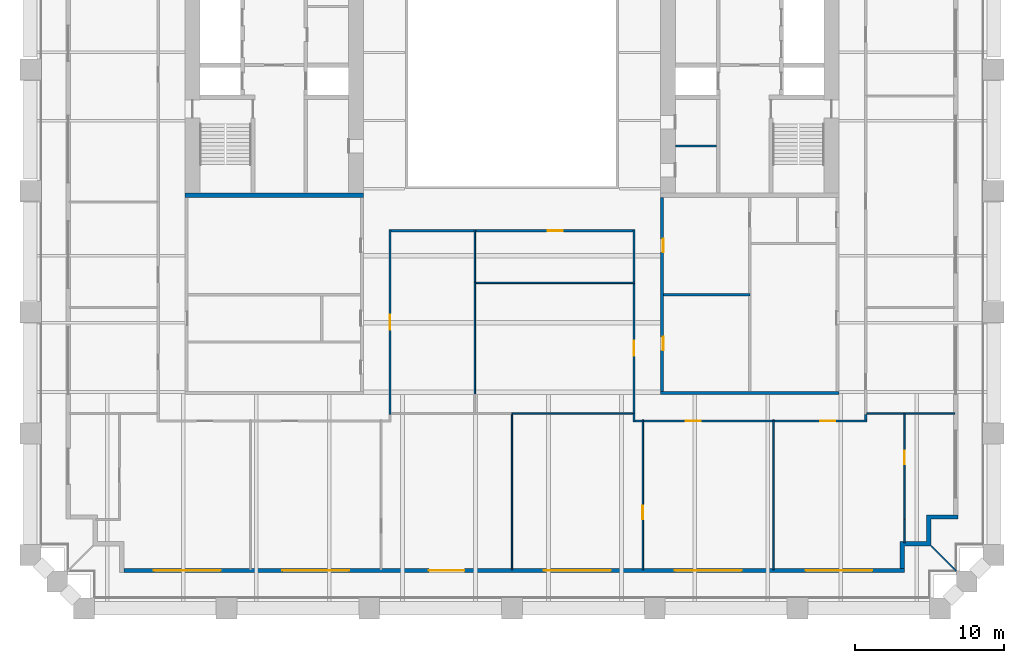
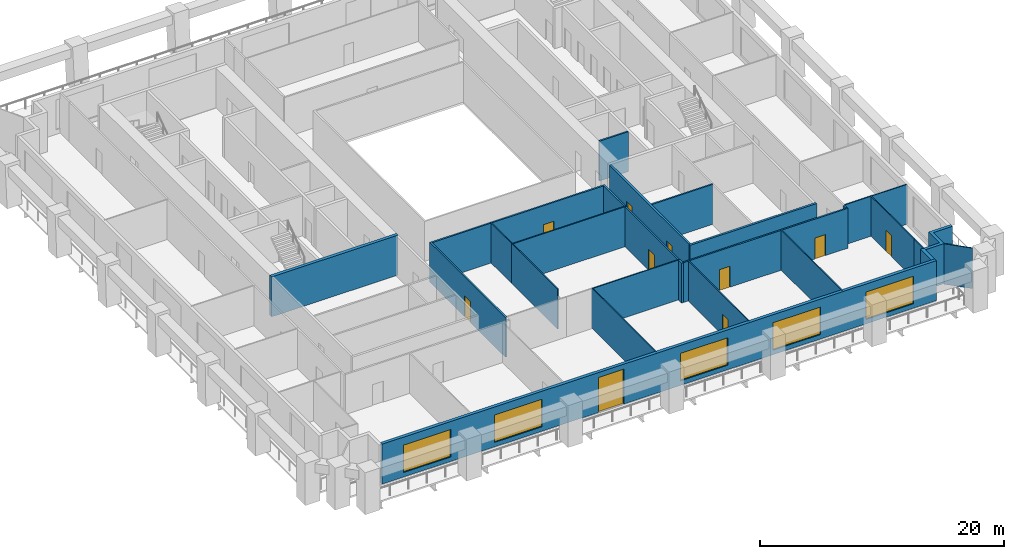
# One storey, part 4 of 9: 29 walls, 10 doors, 5 windows, 15 openings.
"""IFC4 building model written with IfcOpenShell, lengths in metres."""

from ifc_helpers import new_model, si_unit, direction, frame, frame_2d, origin, place, context, subcontext, project, spatial, polyline, rectangle, outline, extrude, material, layer, layer_set, type_object, element, fill, save


model = new_model("IFC4")

# Units and contexts
model_context = context("Model", 3, precision=1e-05, world=origin(), true_north=direction((0.0, 1.0)))
body_context = subcontext(model_context, "Body", "Model", "MODEL_VIEW")
ifc_project = project(units=[si_unit("LENGTHUNIT", "METRE"), si_unit("AREAUNIT", "SQUARE_METRE"), si_unit("VOLUMEUNIT", "CUBIC_METRE"), si_unit("PLANEANGLEUNIT", "RADIAN"), si_unit("MASSUNIT", "GRAM", prefix="KILO")], contexts=[model_context])

# Site, building, storey
site_placement = place(None, origin())
site = spatial("IfcSite", under=ifc_project, at=site_placement, CompositionType="ELEMENT")
building_placement = place(site_placement, origin())
building = spatial("IfcBuilding", under=site, at=building_placement, Name="Ogive Exchange Tower", CompositionType="ELEMENT")
storey_placement = place(building_placement, frame((0.0, 0.0, 60.60009765625)))
storey = spatial("IfcBuildingStorey", under=building, at=storey_placement, Name="L12", CompositionType="ELEMENT", Elevation=60.60009765625)

# Walls
ifc_material_1 = material(Name="Gypsum board partition")
ifc_layer_1 = layer(ifc_material_1, 0.14990234375)
ifc_layer_set_1 = layer_set([ifc_layer_1], Name="Core room partition 150 gypsum")
wall_type_1 = type_object("IfcWallType", Name="Core room partition 150 gypsum", PredefinedType="PARTITIONING", material=ifc_layer_set_1)
wall_1_placement = place(storey_placement, frame((11.0, 0.699951171875, 0.0), z_axis=(0.0, 0.0, 1.0), x_axis=(1.0, 0.0, 0.0)))
element("IfcWall", 1, at=wall_1_placement, inside=storey, type_object=wall_type_1, Name="E south room partition", PredefinedType="PARTITIONING", context=body_context, shape_type="SweptSolid", body=[
    extrude(rectangle(XDim=2.75, YDim=0.14990234375, at=frame_2d((1.375, 0.0))), origin(), (0.0, 0.0, 1.0), 4.0),
])
wall_2_placement = place(storey_placement, frame((10.199951171875, -9.300048828125, 0.0), z_axis=(0.0, 0.0, 1.0), x_axis=(1.0, 0.0, 0.0)))
element("IfcWall", 2, at=wall_2_placement, inside=storey, type_object=wall_type_1, Name="E annex S cross wall", PredefinedType="PARTITIONING", context=body_context, shape_type="SweptSolid", body=[
    extrude(rectangle(XDim=5.800048828125, YDim=0.14990234375, at=frame_2d((2.89990234375, 0.0))), origin(), (0.0, 0.0, 1.0), 4.0),
])

# Wall, opening, door
ifc_material_2 = material(Name="Fire partition EI 60 150")
ifc_layer_2 = layer(ifc_material_2, 0.14990234375)
ifc_layer_set_2 = layer_set([ifc_layer_2], Name="Fire partition EI 60 150")
wall_type_2 = type_object("IfcWallType", Name="Fire partition EI 60 150", PredefinedType="PARTITIONING", material=ifc_layer_set_2)
wall_3_placement = place(storey_placement, frame((-8.199951171875, -4.925048828125, 0.0), z_axis=(0.0, 0.0, 1.0), x_axis=(0.0, -1.0, 0.0)))
wall_3 = element("IfcWall", 3, at=wall_3_placement, inside=storey, type_object=wall_type_2, Name="L12-PWL-021", PredefinedType="PARTITIONING", context=body_context, shape_type="SweptSolid", body=[
    extrude(rectangle(XDim=12.4150390625, YDim=0.14990234375, at=frame_2d((6.20751953125, 0.0))), origin(), (0.0, 0.0, 1.0), 4.0),
])
opening_1_placement = place(wall_3_placement, frame((5.715087890625, 0.0, 0.0)))
opening_1 = element("IfcOpeningElement", 4, at=opening_1_placement, cuts=wall_3, Name="Opening L12-I10", PredefinedType="OPENING", context=body_context, shape_type="SweptSolid", body=[
    extrude(rectangle(XDim=1.0, YDim=2.10009765625, at=frame_2d((0.5, 1.050048828125))), frame((0.0, 0.0849609375, 0.0), z_axis=(0.0, -1.0, 0.0), x_axis=(1.0, 0.0, 0.0)), (0.0, 0.0, 1.0), 0.169921875),
])
ifc_material_3 = material(Name="Fire door FD 30S 1000 x 2100")
door_type_1 = type_object("IfcDoorType", Name="Fire door FD 30S 1000 x 2100", OperationType="NOTDEFINED", PredefinedType="DOOR", material=ifc_material_3)
door_1_placement = place(opening_1_placement, origin())
door_1 = element("IfcDoor", 5, at=door_1_placement, inside=storey, type_object=door_type_1, Name="L12-IDR-010", ObjectType="DT3", OperationType="SINGLE_SWING_LEFT", OverallHeight=2.10009765625, OverallWidth=1.0, PredefinedType="DOOR", context=body_context, shape_type="SweptSolid", body=[
    extrude(rectangle(XDim=1.0, YDim=2.10009765625, at=frame_2d((0.5, 1.050048828125))), frame((0.0, 0.02490234375, 0.0), z_axis=(0.0, -1.0, 0.0), x_axis=(1.0, 0.0, 0.0)), (0.0, 0.0, 1.0), 0.050048828125),
])
fill(opening_1, door_1)

# Walls
wall_4_placement = place(storey_placement, frame((-2.550048828125, -5.0, 0.0), z_axis=(0.0, 0.0, 1.0), x_axis=(-1.0, 0.0, 0.0)))
element("IfcWall", 6, at=wall_4_placement, inside=storey, type_object=wall_type_2, Name="L12-PWL-030", PredefinedType="PARTITIONING", context=body_context, shape_type="SweptSolid", body=[
    extrude(rectangle(XDim=5.574951171875, YDim=0.14990234375, at=frame_2d((2.78759765625, 0.0))), origin(), (0.0, 0.0, 1.0), 4.0),
])
wall_5_placement = place(storey_placement, frame((8.199951171875, -17.875, 0.0), z_axis=(0.0, 0.0, 1.0), x_axis=(0.0, 1.0, 0.0)))
element("IfcWall", 7, at=wall_5_placement, inside=storey, type_object=wall_type_2, Name="L12-PWL-033", PredefinedType="PARTITIONING", context=body_context, shape_type="SweptSolid", body=[
    extrude(rectangle(XDim=0.5849609375, YDim=0.14990234375, at=frame_2d((0.29248046875, 0.0))), origin(), (0.0, 0.0, 1.0), 4.0),
])

# Wall, opening, door
wall_6_placement = place(storey_placement, frame((8.199951171875, -17.2900390625, 0.0), z_axis=(0.0, 0.0, 1.0), x_axis=(0.0, 1.0, 0.0)))
wall_6 = element("IfcWall", 8, at=wall_6_placement, inside=storey, type_object=wall_type_2, Name="L12-PWL-035", PredefinedType="PARTITIONING", context=body_context, shape_type="SweptSolid", body=[
    extrude(rectangle(XDim=8.739990234375, YDim=0.14990234375, at=frame_2d((4.3701171875, 0.0))), origin(), (0.0, 0.0, 1.0), 4.0),
])
opening_2_placement = place(wall_6_placement, frame((3.889892578125, 0.0, 0.0)))
opening_2 = element("IfcOpeningElement", 9, at=opening_2_placement, cuts=wall_6, Name="Opening L12-I08", PredefinedType="OPENING", context=body_context, shape_type="SweptSolid", body=[
    extrude(rectangle(XDim=1.0, YDim=2.10009765625, at=frame_2d((0.5, 1.050048828125))), frame((0.0, 0.0849609375, 0.0), z_axis=(0.0, -1.0, 0.0), x_axis=(1.0, 0.0, 0.0)), (0.0, 0.0, 1.0), 0.169921875),
])
door_2_placement = place(opening_2_placement, origin())
door_2 = element("IfcDoor", 10, at=door_2_placement, inside=storey, type_object=door_type_1, Name="L12-IDR-008", ObjectType="DT3", OperationType="SINGLE_SWING_RIGHT", OverallHeight=2.10009765625, OverallWidth=1.0, PredefinedType="DOOR", context=body_context, shape_type="SweptSolid", body=[
    extrude(rectangle(XDim=1.0, YDim=2.10009765625, at=frame_2d((0.5, 1.050048828125))), frame((0.0, 0.02490234375, 0.0), z_axis=(0.0, -1.0, 0.0), x_axis=(1.0, 0.0, 0.0)), (0.0, 0.0, 1.0), 0.050048828125),
])
fill(opening_2, door_2)

# Wall
wall_7_placement = place(storey_placement, frame((8.199951171875, -8.449951171875, 0.0), z_axis=(0.0, 0.0, 1.0), x_axis=(0.0, 1.0, 0.0)))
element("IfcWall", 11, at=wall_7_placement, inside=storey, type_object=wall_type_2, Name="L12-PWL-036", PredefinedType="PARTITIONING", context=body_context, shape_type="SweptSolid", body=[
    extrude(rectangle(XDim=3.52490234375, YDim=0.14990234375, at=frame_2d((1.762451171875, 0.0))), origin(), (0.0, 0.0, 1.0), 4.0),
])

# Wall, opening, door
wall_8_placement = place(storey_placement, frame((8.125, -5.0, 0.0), z_axis=(0.0, 0.0, 1.0), x_axis=(-1.0, 0.0, 0.0)))
wall_8 = element("IfcWall", 12, at=wall_8_placement, inside=storey, type_object=wall_type_2, Name="L12-PWL-037", PredefinedType="PARTITIONING", context=body_context, shape_type="SweptSolid", body=[
    extrude(rectangle(XDim=10.574951171875, YDim=0.14990234375, at=frame_2d((5.28759765625, 0.0))), origin(), (0.0, 0.0, 1.0), 4.0),
])
opening_3_placement = place(wall_8_placement, frame((4.72509765625, 0.0, 0.0)))
opening_3 = element("IfcOpeningElement", 13, at=opening_3_placement, cuts=wall_8, Name="Opening L12-I09", PredefinedType="OPENING", context=body_context, shape_type="SweptSolid", body=[
    extrude(rectangle(XDim=1.0, YDim=2.10009765625, at=frame_2d((0.5, 1.050048828125))), frame((0.0, 0.0849609375, 0.0), z_axis=(0.0, -1.0, 0.0), x_axis=(1.0, 0.0, 0.0)), (0.0, 0.0, 1.0), 0.169921875),
])
door_3_placement = place(opening_3_placement, origin())
door_3 = element("IfcDoor", 14, at=door_3_placement, inside=storey, type_object=door_type_1, Name="L12-IDR-009", ObjectType="DT3", OperationType="SINGLE_SWING_RIGHT", OverallHeight=2.10009765625, OverallWidth=1.0, PredefinedType="DOOR", context=body_context, shape_type="SweptSolid", body=[
    extrude(rectangle(XDim=1.0, YDim=2.10009765625, at=frame_2d((0.5, 1.050048828125))), frame((0.0, 0.02490234375, 0.0), z_axis=(0.0, -1.0, 0.0), x_axis=(1.0, 0.0, 0.0)), (0.0, 0.0, 1.0), 0.050048828125),
])
fill(opening_3, door_3)

# Wall
wall_9_placement = place(storey_placement, frame((8.75, -17.800048828125, 0.0), z_axis=(0.0, 0.0, 1.0), x_axis=(-1.0, 0.0, 0.0)))
element("IfcWall", 15, at=wall_9_placement, inside=storey, type_object=wall_type_2, Name="L12-PWL-042", PredefinedType="PARTITIONING", context=body_context, shape_type="SweptSolid", body=[
    extrude(rectangle(XDim=0.47509765625, YDim=0.14990234375, at=frame_2d((0.237548828125, 0.0))), origin(), (0.0, 0.0, 1.0), 4.0),
])

# Wall, opening, door
wall_10_placement = place(storey_placement, frame((17.550048828125, -17.800048828125, 0.0), z_axis=(0.0, 0.0, 1.0), x_axis=(-1.0, 0.0, 0.0)))
wall_10 = element("IfcWall", 16, at=wall_10_placement, inside=storey, type_object=wall_type_2, Name="L12-PWL-044", PredefinedType="PARTITIONING", context=body_context, shape_type="SweptSolid", body=[
    extrude(rectangle(XDim=8.699951171875, YDim=0.14990234375, at=frame_2d((4.35009765625, 0.0))), origin(), (0.0, 0.0, 1.0), 4.0),
])
opening_4_placement = place(wall_10_placement, frame((4.85009765625, 0.0, 0.0)))
opening_4 = element("IfcOpeningElement", 17, at=opening_4_placement, cuts=wall_10, Name="Opening L12-I16", PredefinedType="OPENING", context=body_context, shape_type="SweptSolid", body=[
    extrude(rectangle(XDim=1.0, YDim=2.10009765625, at=frame_2d((0.5, 1.050048828125))), frame((0.0, 0.0849609375, 0.0), z_axis=(0.0, -1.0, 0.0), x_axis=(1.0, 0.0, 0.0)), (0.0, 0.0, 1.0), 0.169921875),
])
door_4_placement = place(opening_4_placement, origin())
door_4 = element("IfcDoor", 18, at=door_4_placement, inside=storey, type_object=door_type_1, Name="L12-IDR-016", ObjectType="DT3", OperationType="SINGLE_SWING_LEFT", OverallHeight=2.10009765625, OverallWidth=1.0, PredefinedType="DOOR", context=body_context, shape_type="SweptSolid", body=[
    extrude(rectangle(XDim=1.0, YDim=2.10009765625, at=frame_2d((0.5, 1.050048828125))), frame((0.0, 0.02490234375, 0.0), z_axis=(0.0, -1.0, 0.0), x_axis=(1.0, 0.0, 0.0)), (0.0, 0.0, 1.0), 0.050048828125),
])
fill(opening_4, door_4)

wall_11_placement = place(storey_placement, frame((23.875, -17.800048828125, 0.0), z_axis=(0.0, 0.0, 1.0), x_axis=(-1.0, 0.0, 0.0)))
wall_11 = element("IfcWall", 19, at=wall_11_placement, inside=storey, type_object=wall_type_2, Name="L12-PWL-046", PredefinedType="PARTITIONING", context=body_context, shape_type="SweptSolid", body=[
    extrude(rectangle(XDim=6.22509765625, YDim=0.14990234375, at=frame_2d((3.112548828125, 0.0))), origin(), (0.0, 0.0, 1.0), 4.0),
])
opening_5_placement = place(wall_11_placement, frame((2.125, 0.0, 0.0)))
opening_5 = element("IfcOpeningElement", 20, at=opening_5_placement, cuts=wall_11, Name="Opening L12-I15", PredefinedType="OPENING", context=body_context, shape_type="SweptSolid", body=[
    extrude(rectangle(XDim=1.0, YDim=2.10009765625, at=frame_2d((0.5, 1.050048828125))), frame((0.0, 0.0849609375, 0.0), z_axis=(0.0, -1.0, 0.0), x_axis=(1.0, 0.0, 0.0)), (0.0, 0.0, 1.0), 0.169921875),
])
door_5_placement = place(opening_5_placement, origin())
door_5 = element("IfcDoor", 21, at=door_5_placement, inside=storey, type_object=door_type_1, Name="L12-IDR-015", ObjectType="DT3", OperationType="SINGLE_SWING_LEFT", OverallHeight=2.10009765625, OverallWidth=1.0, PredefinedType="DOOR", context=body_context, shape_type="SweptSolid", body=[
    extrude(rectangle(XDim=1.0, YDim=2.10009765625, at=frame_2d((0.5, 1.050048828125))), frame((0.0, 0.02490234375, 0.0), z_axis=(0.0, -1.0, 0.0), x_axis=(1.0, 0.0, 0.0)), (0.0, 0.0, 1.0), 0.050048828125),
])
fill(opening_5, door_5)

# Wall
wall_12_placement = place(storey_placement, frame((23.800048828125, -17.340087890625, 0.0), z_axis=(0.0, 0.0, 1.0), x_axis=(0.0, -1.0, 0.0)))
element("IfcWall", 22, at=wall_12_placement, inside=storey, type_object=wall_type_2, Name="L12-PWL-047", PredefinedType="PARTITIONING", context=body_context, shape_type="SweptSolid", body=[
    extrude(rectangle(XDim=0.385009765625, YDim=0.14990234375, at=frame_2d((0.1923828125, 0.0))), origin(), (0.0, 0.0, 1.0), 4.0),
])

# Wall, openings, door, windows
ifc_material_4 = material(Name="Precast concrete C40/50", Category="concrete")
ifc_layer_3 = layer(ifc_material_4, 0.300048828125)
ifc_layer_set_3 = layer_set([ifc_layer_3], Name="Limestone-faced wall 300")
wall_type_3 = type_object("IfcWallType", Name="Limestone-faced wall 300", PredefinedType="STANDARD", material=ifc_layer_set_3)
wall_13_placement = place(storey_placement, frame((-26.10009765625, -27.85009765625, 0.0), z_axis=(0.0, 0.0, 1.0), x_axis=(1.0, 0.0, 0.0)))
wall_13 = element("IfcWall", 23, at=wall_13_placement, inside=storey, type_object=wall_type_3, Name="External wall S1", PredefinedType="STANDARD", context=body_context, shape_type="SweptSolid", body=[
    extrude(rectangle(XDim=52.5, YDim=0.300048828125, at=frame_2d((26.25, 0.0))), origin(), (0.0, 0.0, 1.0), 4.0),
])
opening_6_placement = place(wall_13_placement, frame((2.0, 0.0, 0.449951171875)))
opening_6 = element("IfcOpeningElement", 24, at=opening_6_placement, cuts=wall_13, Name="Opening W1H", PredefinedType="OPENING", context=body_context, shape_type="SweptSolid", body=[
    extrude(rectangle(XDim=4.5, YDim=2.75, at=frame_2d((2.25, 1.375))), frame((0.0, 0.159912109375, 0.0), z_axis=(0.0, -1.0, 0.0), x_axis=(1.0, 0.0, 0.0)), (0.0, 0.0, 1.0), 0.320068359375),
])
opening_7_placement = place(wall_13_placement, frame((10.64990234375, 0.0, 0.449951171875)))
opening_7 = element("IfcOpeningElement", 25, at=opening_7_placement, cuts=wall_13, Name="Opening W1H", PredefinedType="OPENING", context=body_context, shape_type="SweptSolid", body=[
    extrude(rectangle(XDim=4.5, YDim=2.75, at=frame_2d((2.25, 1.375))), frame((0.0, 0.159912109375, 0.0), z_axis=(0.0, -1.0, 0.0), x_axis=(1.0, 0.0, 0.0)), (0.0, 0.0, 1.0), 0.320068359375),
])
opening_8_placement = place(wall_13_placement, frame((20.5, 0.0, 0.0)))
opening_8 = element("IfcOpeningElement", 26, at=opening_8_placement, cuts=wall_13, Name="Opening D1", PredefinedType="OPENING", context=body_context, shape_type="SweptSolid", body=[
    extrude(rectangle(XDim=2.39990234375, YDim=3.5, at=frame_2d((1.199951171875, 1.75))), frame((0.0, 0.159912109375, 0.0), z_axis=(0.0, -1.0, 0.0), x_axis=(1.0, 0.0, 0.0)), (0.0, 0.0, 1.0), 0.320068359375),
])
opening_9_placement = place(wall_13_placement, frame((28.25, 0.0, 0.449951171875)))
opening_9 = element("IfcOpeningElement", 27, at=opening_9_placement, cuts=wall_13, Name="Opening W1H", PredefinedType="OPENING", context=body_context, shape_type="SweptSolid", body=[
    extrude(rectangle(XDim=4.5, YDim=2.75, at=frame_2d((2.25, 1.375))), frame((0.0, 0.159912109375, 0.0), z_axis=(0.0, -1.0, 0.0), x_axis=(1.0, 0.0, 0.0)), (0.0, 0.0, 1.0), 0.320068359375),
])
opening_10_placement = place(wall_13_placement, frame((37.050048828125, 0.0, 0.449951171875)))
opening_10 = element("IfcOpeningElement", 28, at=opening_10_placement, cuts=wall_13, Name="Opening W1H", PredefinedType="OPENING", context=body_context, shape_type="SweptSolid", body=[
    extrude(rectangle(XDim=4.5, YDim=2.75, at=frame_2d((2.25, 1.375))), frame((0.0, 0.159912109375, 0.0), z_axis=(0.0, -1.0, 0.0), x_axis=(1.0, 0.0, 0.0)), (0.0, 0.0, 1.0), 0.320068359375),
])
opening_11_placement = place(wall_13_placement, frame((45.85009765625, 0.0, 0.449951171875)))
opening_11 = element("IfcOpeningElement", 29, at=opening_11_placement, cuts=wall_13, Name="Opening W1H", PredefinedType="OPENING", context=body_context, shape_type="SweptSolid", body=[
    extrude(rectangle(XDim=4.5, YDim=2.75, at=frame_2d((2.25, 1.375))), frame((0.0, 0.159912109375, 0.0), z_axis=(0.0, -1.0, 0.0), x_axis=(1.0, 0.0, 0.0)), (0.0, 0.0, 1.0), 0.320068359375),
])
ifc_material_5 = material(Name="Clear glass in bronze frame", Category="glass")
door_type_2 = type_object("IfcDoorType", Name="Sliding loggia door 2400 x 3500", OperationType="DOUBLE_DOOR_SLIDING", PredefinedType="DOOR", material=ifc_material_5)
door_6_placement = place(opening_8_placement, origin())
door_6 = element("IfcDoor", 30, at=door_6_placement, inside=storey, type_object=door_type_2, Name="Loggia door S02", OperationType="DOUBLE_DOOR_SLIDING", OverallHeight=3.5, OverallWidth=2.39990234375, PredefinedType="DOOR", context=body_context, shape_type="SweptSolid", body=[
    extrude(rectangle(XDim=2.39990234375, YDim=3.5, at=frame_2d((1.199951171875, 1.75))), frame((0.0, 0.02490234375, 0.0), z_axis=(0.0, -1.0, 0.0), x_axis=(1.0, 0.0, 0.0)), (0.0, 0.0, 1.0), 0.050048828125),
])
fill(opening_8, door_6)
window_type = type_object("IfcWindowType", Name="Twin lancet window 4500 x 2750", PartitioningType="DOUBLE_PANEL_VERTICAL", PredefinedType="WINDOW", material=ifc_material_5)
window_1_placement = place(opening_6_placement, origin())
window_1 = element("IfcWindow", 31, at=window_1_placement, inside=storey, type_object=window_type, Name="Window S00", OverallHeight=2.75, OverallWidth=4.5, PartitioningType="DOUBLE_PANEL_VERTICAL", PredefinedType="WINDOW", context=body_context, shape_type="SweptSolid", body=[
    extrude(rectangle(XDim=4.5, YDim=2.75, at=frame_2d((2.25, 1.375))), frame((0.0, 0.030029296875, 0.0), z_axis=(0.0, -1.0, 0.0), x_axis=(1.0, 0.0, 0.0)), (0.0, 0.0, 1.0), 0.06005859375),
])
fill(opening_6, window_1)
window_2_placement = place(opening_7_placement, origin())
window_2 = element("IfcWindow", 32, at=window_2_placement, inside=storey, type_object=window_type, Name="Window S01", OverallHeight=2.75, OverallWidth=4.5, PartitioningType="DOUBLE_PANEL_VERTICAL", PredefinedType="WINDOW", context=body_context, shape_type="SweptSolid", body=[
    extrude(rectangle(XDim=4.5, YDim=2.75, at=frame_2d((2.25, 1.375))), frame((0.0, 0.030029296875, 0.0), z_axis=(0.0, -1.0, 0.0), x_axis=(1.0, 0.0, 0.0)), (0.0, 0.0, 1.0), 0.06005859375),
])
fill(opening_7, window_2)
window_3_placement = place(opening_9_placement, origin())
window_3 = element("IfcWindow", 33, at=window_3_placement, inside=storey, type_object=window_type, Name="Window S03", OverallHeight=2.75, OverallWidth=4.5, PartitioningType="DOUBLE_PANEL_VERTICAL", PredefinedType="WINDOW", context=body_context, shape_type="SweptSolid", body=[
    extrude(rectangle(XDim=4.5, YDim=2.75, at=frame_2d((2.25, 1.375))), frame((0.0, 0.030029296875, 0.0), z_axis=(0.0, -1.0, 0.0), x_axis=(1.0, 0.0, 0.0)), (0.0, 0.0, 1.0), 0.06005859375),
])
fill(opening_9, window_3)
window_4_placement = place(opening_10_placement, origin())
window_4 = element("IfcWindow", 34, at=window_4_placement, inside=storey, type_object=window_type, Name="Window S04", OverallHeight=2.75, OverallWidth=4.5, PartitioningType="DOUBLE_PANEL_VERTICAL", PredefinedType="WINDOW", context=body_context, shape_type="SweptSolid", body=[
    extrude(rectangle(XDim=4.5, YDim=2.75, at=frame_2d((2.25, 1.375))), frame((0.0, 0.030029296875, 0.0), z_axis=(0.0, -1.0, 0.0), x_axis=(1.0, 0.0, 0.0)), (0.0, 0.0, 1.0), 0.06005859375),
])
fill(opening_10, window_4)
window_5_placement = place(opening_11_placement, origin())
window_5 = element("IfcWindow", 35, at=window_5_placement, inside=storey, type_object=window_type, Name="Window S05", OverallHeight=2.75, OverallWidth=4.5, PartitioningType="DOUBLE_PANEL_VERTICAL", PredefinedType="WINDOW", context=body_context, shape_type="SweptSolid", body=[
    extrude(rectangle(XDim=4.5, YDim=2.75, at=frame_2d((2.25, 1.375))), frame((0.0, 0.030029296875, 0.0), z_axis=(0.0, -1.0, 0.0), x_axis=(1.0, 0.0, 0.0)), (0.0, 0.0, 1.0), 0.06005859375),
])
fill(opening_11, window_5)

# Walls
wall_14_placement = place(storey_placement, origin())
element("IfcWall", 36, at=wall_14_placement, inside=storey, type_object=wall_type_3, Name="External corner wall C1", PredefinedType="STANDARD", context=body_context, shape_type="SweptSolid", body=[
    extrude(outline(polyline([(27.89990234375, -25.89990234375), (27.89990234375, -24.10009765625), (30.0, -24.10009765625), (30.0, -24.39990234375), (28.199951171875, -24.39990234375), (28.199951171875, -26.199951171875), (26.39990234375, -26.199951171875), (26.39990234375, -27.699951171875), (26.10009765625, -27.699951171875), (26.10009765625, -25.89990234375), (27.89990234375, -25.89990234375)])), origin(), (0.0, 0.0, 1.0), 4.0),
])
ifc_material_6 = material(Name="Laminated safety glass in steel frame", Category="steel")
ifc_layer_4 = layer(ifc_material_6, 0.10009765625)
ifc_layer_set_4 = layer_set([ifc_layer_4], Name="Loggia end screen 100")
wall_type_4 = type_object("IfcWallType", Name="Loggia end screen 100", PredefinedType="STANDARD", material=ifc_layer_set_4)
wall_15_placement = place(storey_placement, frame((28.199951171875, -26.199951171875, -0.050048828125), z_axis=(0.0, 0.0, 1.0), x_axis=(0.707106781187, -0.707106781187, 0.0)))
element("IfcWall", 37, at=wall_15_placement, inside=storey, type_object=wall_type_4, Name="Loggia end screen C1", PredefinedType="STANDARD", context=body_context, shape_type="SweptSolid", body=[
    extrude(rectangle(XDim=2.384521484375, YDim=0.10009765625, at=frame_2d((1.1923828125, 0.0))), origin(), (0.0, 0.0, 1.0), 4.050048828125),
])
ifc_material_7 = material(Name="Partition 100 gypsum")
ifc_layer_5 = layer(ifc_material_7, 0.10009765625)
ifc_layer_set_5 = layer_set([ifc_layer_5], Name="Partition 100 gypsum")
wall_type_5 = type_object("IfcWallType", Name="Partition 100 gypsum", PredefinedType="PARTITIONING", material=ifc_layer_set_5)
wall_16_placement = place(storey_placement, frame((-2.5, -8.449951171875, 0.0), z_axis=(0.0, 0.0, 1.0), x_axis=(0.0, 1.0, 0.0)))
element("IfcWall", 38, at=wall_16_placement, inside=storey, type_object=wall_type_5, Name="L12-PWL-028", PredefinedType="PARTITIONING", context=body_context, shape_type="SweptSolid", body=[
    extrude(rectangle(XDim=3.52490234375, YDim=0.10009765625, at=frame_2d((1.762451171875, 0.0))), origin(), (0.0, 0.0, 1.0), 4.0),
])
wall_17_placement = place(storey_placement, frame((-2.449951171875, -8.5, 0.0), z_axis=(0.0, 0.0, 1.0), x_axis=(1.0, 0.0, 0.0)))
element("IfcWall", 39, at=wall_17_placement, inside=storey, type_object=wall_type_5, Name="L12-PWL-029", PredefinedType="PARTITIONING", context=body_context, shape_type="SweptSolid", body=[
    extrude(rectangle(XDim=10.724853515625, YDim=0.10009765625, at=frame_2d((5.3623046875, 0.0))), origin(), (0.0, 0.0, 1.0), 4.0),
])
wall_18_placement = place(storey_placement, frame((0.0, -27.800048828125, 0.0), z_axis=(0.0, 0.0, 1.0), x_axis=(0.0, 1.0, 0.0)))
element("IfcWall", 40, at=wall_18_placement, inside=storey, type_object=wall_type_5, Name="L12-PWL-031", PredefinedType="PARTITIONING", context=body_context, shape_type="SweptSolid", body=[
    extrude(rectangle(XDim=10.56005859375, YDim=0.10009765625, at=frame_2d((5.280029296875, 0.0))), origin(), (0.0, 0.0, 1.0), 4.0),
])
wall_19_placement = place(storey_placement, frame((8.125, -17.2900390625, 0.0), z_axis=(0.0, 0.0, 1.0), x_axis=(-1.0, 0.0, 0.0)))
element("IfcWall", 41, at=wall_19_placement, inside=storey, type_object=wall_type_5, Name="L12-PWL-034", PredefinedType="PARTITIONING", context=body_context, shape_type="SweptSolid", body=[
    extrude(rectangle(XDim=8.074951171875, YDim=0.10009765625, at=frame_2d((4.03759765625, 0.0))), origin(), (0.0, 0.0, 1.0), 4.0),
])

# Wall, opening, door
wall_20_placement = place(storey_placement, frame((8.800048828125, -27.800048828125, 0.0), z_axis=(0.0, 0.0, 1.0), x_axis=(0.0, 1.0, 0.0)))
wall_20 = element("IfcWall", 42, at=wall_20_placement, inside=storey, type_object=wall_type_5, Name="L12-PWL-041", PredefinedType="PARTITIONING", context=body_context, shape_type="SweptSolid", body=[
    extrude(rectangle(XDim=10.074951171875, YDim=0.10009765625, at=frame_2d((5.03759765625, 0.0))), origin(), (0.0, 0.0, 1.0), 4.0),
])
opening_12_placement = place(wall_20_placement, frame((3.39990234375, 0.0, 0.0)))
opening_12 = element("IfcOpeningElement", 43, at=opening_12_placement, cuts=wall_20, Name="Opening L12-I17", PredefinedType="OPENING", context=body_context, shape_type="SweptSolid", body=[
    extrude(rectangle(XDim=0.89990234375, YDim=2.10009765625, at=frame_2d((0.449951171875, 1.050048828125))), frame((0.0, 0.06005859375, 0.0), z_axis=(0.0, -1.0, 0.0), x_axis=(1.0, 0.0, 0.0)), (0.0, 0.0, 1.0), 0.1201171875),
])
ifc_material_8 = material(Name="Door 900 x 2100")
door_type_3 = type_object("IfcDoorType", Name="Door 900 x 2100", OperationType="NOTDEFINED", PredefinedType="DOOR", material=ifc_material_8)
door_7_placement = place(opening_12_placement, frame((0.89990234375, 0.0, 0.0), z_axis=(0.0, 0.0, 1.0), x_axis=(-1.0, 0.0, 0.0)))
door_7 = element("IfcDoor", 44, at=door_7_placement, inside=storey, type_object=door_type_3, Name="L12-IDR-017", ObjectType="DT1", OperationType="SINGLE_SWING_LEFT", OverallHeight=2.10009765625, OverallWidth=0.89990234375, PredefinedType="DOOR", context=body_context, shape_type="SweptSolid", body=[
    extrude(rectangle(XDim=0.89990234375, YDim=2.10009765625, at=frame_2d((0.449951171875, 1.050048828125))), frame((0.0, 0.02490234375, 0.0), z_axis=(0.0, -1.0, 0.0), x_axis=(1.0, 0.0, 0.0)), (0.0, 0.0, 1.0), 0.050048828125),
])
fill(opening_12, door_7)

# Wall
wall_21_placement = place(storey_placement, frame((17.60009765625, -27.800048828125, 0.0), z_axis=(0.0, 0.0, 1.0), x_axis=(0.0, 1.0, 0.0)))
element("IfcWall", 45, at=wall_21_placement, inside=storey, type_object=wall_type_5, Name="L12-PWL-043", PredefinedType="PARTITIONING", context=body_context, shape_type="SweptSolid", body=[
    extrude(rectangle(XDim=10.074951171875, YDim=0.10009765625, at=frame_2d((5.03759765625, 0.0))), origin(), (0.0, 0.0, 1.0), 4.0),
])

# Wall, opening, door
wall_22_placement = place(storey_placement, frame((26.39990234375, -24.409912109375, 0.0), z_axis=(0.0, 0.0, 1.0), x_axis=(0.0, 1.0, 0.0)))
wall_22 = element("IfcWall", 46, at=wall_22_placement, inside=storey, type_object=wall_type_5, Name="L12-PWL-052", PredefinedType="PARTITIONING", context=body_context, shape_type="SweptSolid", body=[
    extrude(rectangle(XDim=7.169921875, YDim=0.10009765625, at=frame_2d((3.5849609375, 0.0))), origin(), (0.0, 0.0, 1.0), 4.0),
])
opening_13_placement = place(wall_22_placement, frame((3.699951171875, 0.0, 0.0)))
opening_13 = element("IfcOpeningElement", 47, at=opening_13_placement, cuts=wall_22, Name="Opening L12-I14", PredefinedType="OPENING", context=body_context, shape_type="SweptSolid", body=[
    extrude(rectangle(XDim=0.89990234375, YDim=2.10009765625, at=frame_2d((0.449951171875, 1.050048828125))), frame((0.0, 0.06005859375, 0.0), z_axis=(0.0, -1.0, 0.0), x_axis=(1.0, 0.0, 0.0)), (0.0, 0.0, 1.0), 0.1201171875),
])
door_8_placement = place(opening_13_placement, frame((0.89990234375, 0.0, 0.0), z_axis=(0.0, 0.0, 1.0), x_axis=(-1.0, 0.0, 0.0)))
door_8 = element("IfcDoor", 48, at=door_8_placement, inside=storey, type_object=door_type_3, Name="L12-IDR-014", ObjectType="DT1", OperationType="SINGLE_SWING_RIGHT", OverallHeight=2.10009765625, OverallWidth=0.89990234375, PredefinedType="DOOR", context=body_context, shape_type="SweptSolid", body=[
    extrude(rectangle(XDim=0.89990234375, YDim=2.10009765625, at=frame_2d((0.449951171875, 1.050048828125))), frame((0.0, 0.02490234375, 0.0), z_axis=(0.0, -1.0, 0.0), x_axis=(1.0, 0.0, 0.0)), (0.0, 0.0, 1.0), 0.050048828125),
])
fill(opening_13, door_8)

# Walls
wall_23_placement = place(storey_placement, frame((26.35009765625, -17.2900390625, 0.0), z_axis=(0.0, 0.0, 1.0), x_axis=(-1.0, 0.0, 0.0)))
element("IfcWall", 49, at=wall_23_placement, inside=storey, type_object=wall_type_5, Name="L12-PWL-053", PredefinedType="PARTITIONING", context=body_context, shape_type="SweptSolid", body=[
    extrude(rectangle(XDim=2.47509765625, YDim=0.10009765625, at=frame_2d((1.237548828125, 0.0))), origin(), (0.0, 0.0, 1.0), 4.0),
])
wall_24_placement = place(storey_placement, frame((26.409912109375, -26.0, 0.0), z_axis=(0.0, 0.0, 1.0), x_axis=(0.0, 1.0, 0.0)))
element("IfcWall", 50, at=wall_24_placement, inside=storey, type_object=wall_type_5, Name="L12-PWL-054", PredefinedType="PARTITIONING", context=body_context, shape_type="SweptSolid", body=[
    extrude(rectangle(XDim=1.590087890625, YDim=0.10009765625, at=frame_2d((0.794921875, 0.0))), origin(), (0.0, 0.0, 1.0), 4.0),
])
wall_25_placement = place(storey_placement, frame((29.800048828125, -17.2900390625, 0.0), z_axis=(0.0, 0.0, 1.0), x_axis=(-1.0, 0.0, 0.0)))
element("IfcWall", 51, at=wall_25_placement, inside=storey, type_object=wall_type_5, Name="L12-PWL-055", PredefinedType="PARTITIONING", context=body_context, shape_type="SweptSolid", body=[
    extrude(rectangle(XDim=3.35009765625, YDim=0.10009765625, at=frame_2d((1.675048828125, 0.0))), origin(), (0.0, 0.0, 1.0), 4.0),
])
wall_26_placement = place(storey_placement, frame((-2.5, -15.9951171875, 0.0), z_axis=(0.0, 0.0, 1.0), x_axis=(0.0, 1.0, 0.0)))
element("IfcWall", 52, at=wall_26_placement, inside=storey, type_object=wall_type_5, Name="L12-PWL-027", PredefinedType="PARTITIONING", context=body_context, shape_type="SweptSolid", body=[
    extrude(rectangle(XDim=7.545166015625, YDim=0.10009765625, at=frame_2d((3.7724609375, 0.0))), origin(), (0.0, 0.0, 1.0), 4.0),
])

# Wall, openings, doors
ifc_material_9 = material(Name="Concrete C70/85", Category="concrete")
ifc_layer_6 = layer(ifc_material_9, 0.199951171875)
ifc_layer_set_6 = layer_set([ifc_layer_6], Name="RC core wall 200 C70/85")
wall_type_6 = type_object("IfcWallType", Name="RC core wall 200 C70/85", PredefinedType="SHEAR", material=ifc_layer_set_6)
wall_27_placement = place(storey_placement, frame((10.10009765625, -15.800048828125, 0.0), z_axis=(0.0, 0.0, 1.0), x_axis=(0.0, 1.0, 0.0)))
wall_27 = element("IfcWall", 53, at=wall_27_placement, inside=storey, type_object=wall_type_6, Name="E annex S inner wall", PredefinedType="SHEAR", context=body_context, shape_type="SweptSolid", body=[
    extrude(rectangle(XDim=13.050048828125, YDim=0.199951171875, at=frame_2d((6.52490234375, 0.0))), origin(), (0.0, 0.0, 1.0), 4.0),
])
opening_14_placement = place(wall_27_placement, frame((2.762451171875, 0.0, 0.0)))
opening_14 = element("IfcOpeningElement", 54, at=opening_14_placement, cuts=wall_27, Name="Opening L12-C42", PredefinedType="OPENING", context=body_context, shape_type="SweptSolid", body=[
    extrude(rectangle(XDim=0.89990234375, YDim=2.10009765625, at=frame_2d((0.449951171875, 1.050048828125))), frame((0.0, 0.10986328125, 0.0), z_axis=(0.0, -1.0, 0.0), x_axis=(1.0, 0.0, 0.0)), (0.0, 0.0, 1.0), 0.219970703125),
])
opening_15_placement = place(wall_27_placement, frame((9.362548828125, 0.0, 0.0)))
opening_15 = element("IfcOpeningElement", 55, at=opening_15_placement, cuts=wall_27, Name="Opening L12-C43", PredefinedType="OPENING", context=body_context, shape_type="SweptSolid", body=[
    extrude(rectangle(XDim=0.89990234375, YDim=2.10009765625, at=frame_2d((0.449951171875, 1.050048828125))), frame((0.0, 0.10986328125, 0.0), z_axis=(0.0, -1.0, 0.0), x_axis=(1.0, 0.0, 0.0)), (0.0, 0.0, 1.0), 0.219970703125),
])
ifc_material_10 = material(Name="Timber fire door", Category="wood")
door_type_4 = type_object("IfcDoorType", Name="Core room door FD30S 900 x 2100", OperationType="NOTDEFINED", PredefinedType="DOOR", material=ifc_material_10)
door_9_placement = place(opening_14_placement, frame((0.89990234375, -0.14990234375, 0.0), z_axis=(0.0, 0.0, 1.0), x_axis=(-1.0, 0.0, 0.0)))
door_9 = element("IfcDoor", 56, at=door_9_placement, inside=storey, type_object=door_type_4, Name="Core room door", ObjectType="CD6", OperationType="SINGLE_SWING_LEFT", OverallHeight=2.10009765625, OverallWidth=0.89990234375, PredefinedType="DOOR", context=body_context, shape_type="SweptSolid", body=[
    extrude(rectangle(XDim=0.89990234375, YDim=2.10009765625, at=frame_2d((0.449951171875, 1.050048828125))), frame((0.0, -0.0498046875, 0.0), z_axis=(0.0, -1.0, 0.0), x_axis=(1.0, 0.0, 0.0)), (0.0, 0.0, 1.0), 0.050048828125),
])
fill(opening_14, door_9)
ifc_material_11 = material(Name="Steel fire door", Category="steel")
door_type_5 = type_object("IfcDoorType", Name="Riser door FD60 900 x 2100", OperationType="NOTDEFINED", PredefinedType="DOOR", material=ifc_material_11)
door_10_placement = place(opening_15_placement, frame((0.89990234375, -0.14990234375, 0.0), z_axis=(0.0, 0.0, 1.0), x_axis=(-1.0, 0.0, 0.0)))
door_10 = element("IfcDoor", 57, at=door_10_placement, inside=storey, type_object=door_type_5, Name="Riser door", ObjectType="CD2", OperationType="SINGLE_SWING_LEFT", OverallHeight=2.10009765625, OverallWidth=0.89990234375, PredefinedType="DOOR", context=body_context, shape_type="SweptSolid", body=[
    extrude(rectangle(XDim=0.89990234375, YDim=2.10009765625, at=frame_2d((0.449951171875, 1.050048828125))), frame((0.0, -0.0498046875, 0.0), z_axis=(0.0, -1.0, 0.0), x_axis=(1.0, 0.0, 0.0)), (0.0, 0.0, 1.0), 0.050048828125),
])
fill(opening_15, door_10)

# Walls
wall_28_placement = place(storey_placement, frame((10.0, -15.89990234375, 0.0), z_axis=(0.0, 0.0, 1.0), x_axis=(1.0, 0.0, 0.0)))
element("IfcWall", 58, at=wall_28_placement, inside=storey, type_object=wall_type_6, Name="E annex S end wall", PredefinedType="SHEAR", context=body_context, shape_type="SweptSolid", body=[
    extrude(rectangle(XDim=12.0, YDim=0.199951171875, at=frame_2d((6.0, 0.0))), origin(), (0.0, 0.0, 1.0), 4.0),
])
ifc_layer_7 = layer(ifc_material_9, 0.300048828125)
ifc_layer_set_7 = layer_set([ifc_layer_7], Name="RC core wall 300 C70/85")
wall_type_7 = type_object("IfcWallType", Name="RC core wall 300 C70/85", PredefinedType="SHEAR", material=ifc_layer_set_7)
wall_29_placement = place(storey_placement, frame((-22.0, -2.60009765625, 0.0), z_axis=(0.0, 0.0, 1.0), x_axis=(1.0, 0.0, 0.0)))
element("IfcWall", 59, at=wall_29_placement, inside=storey, type_object=wall_type_7, Name="W south end wall", PredefinedType="SHEAR", context=body_context, shape_type="SweptSolid", body=[
    extrude(rectangle(XDim=12.0, YDim=0.300048828125, at=frame_2d((6.0, 0.0))), origin(), (0.0, 0.0, 1.0), 4.0),
])

save(model, "model.ifc")
